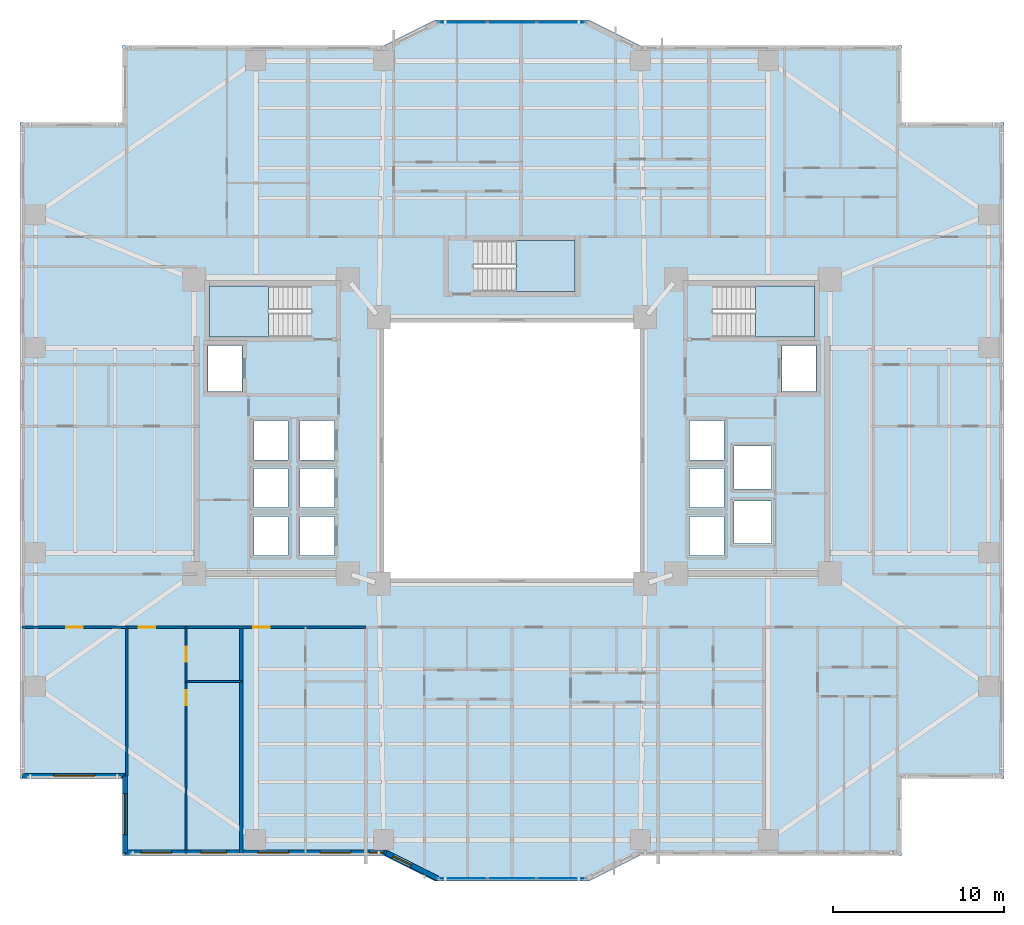
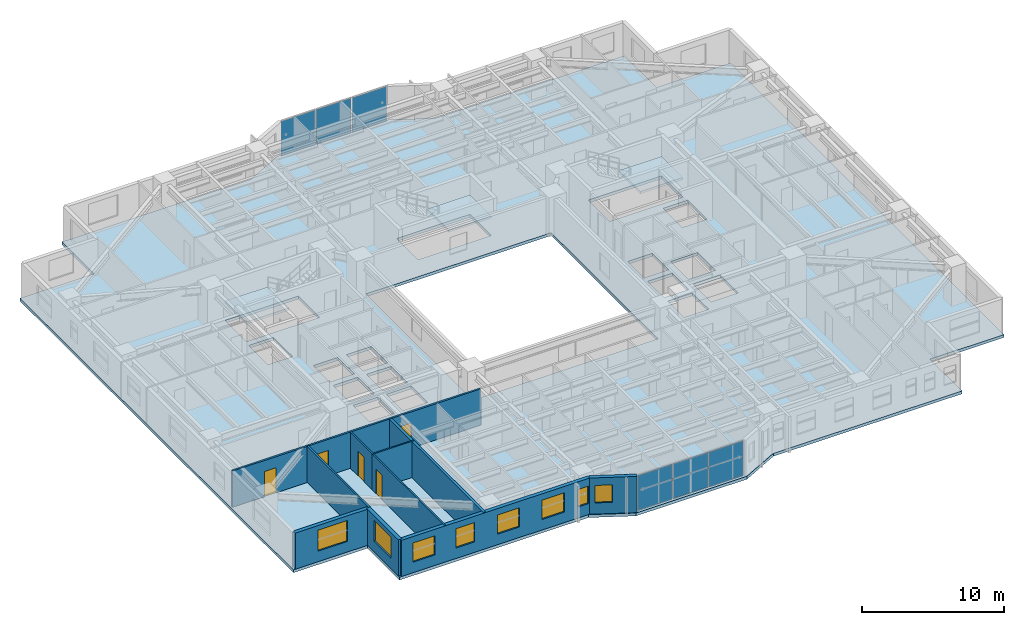
# One storey, part 9 of 22: 11 walls, 8 windows, 6 plates, 5 doors, 4 slabs, 13 openings, 5 elements without a shape of their own.
"""IFC4 building model written with IfcOpenShell, lengths in metres."""

from ifc_helpers import new_model, si_unit, direction, frame, frame_2d, origin, origin_2d, place, context, subcontext, project, spatial, polyline, rectangle, outline, extrude, material, layer, layer_set, type_object, element, fill, aggregate, save


model = new_model("IFC4")

# Units and contexts
model_context = context("Model", 3, precision=1e-05, world=origin(), true_north=direction((0.0, 1.0)))
body_context = subcontext(model_context, "Body", "Model", "MODEL_VIEW")
ifc_project = project(units=[si_unit("LENGTHUNIT", "METRE"), si_unit("AREAUNIT", "SQUARE_METRE"), si_unit("VOLUMEUNIT", "CUBIC_METRE"), si_unit("PLANEANGLEUNIT", "RADIAN"), si_unit("MASSUNIT", "GRAM", prefix="KILO")], contexts=[model_context])

# Site, building, storey
site_placement = place(None, origin())
site = spatial("IfcSite", under=ifc_project, at=site_placement, CompositionType="ELEMENT")
building_placement = place(site_placement, origin())
building = spatial("IfcBuilding", under=site, at=building_placement, Name="Tarnavaz Court Tower", CompositionType="ELEMENT")
storey_placement = place(building_placement, frame((0.0, 0.0, 57.5)))
storey = spatial("IfcBuildingStorey", under=building, at=storey_placement, Name="L15", CompositionType="ELEMENT", Elevation=57.5)

# Curtain wall, plates
ifc_material_1 = material(Name="Anodised Aluminium 6063-T6 and Solar Low-E Glazing", Category="aluminium")
ifc_layer_1 = layer(ifc_material_1, 0.179931640625)
ifc_layer_set_1 = layer_set([ifc_layer_1], Name="Anodised Aluminium 6063-T6 and Solar Low-E Glazing")
curtain_wall_type = type_object("IfcCurtainWallType", Name="CW-SYS-02", PredefinedType="NOTDEFINED", material=ifc_layer_set_1)
curtain_wall_1_placement = place(storey_placement, origin())
curtain_wall_1 = element("IfcCurtainWall", 1, at=curtain_wall_1_placement, inside=storey, type_object=curtain_wall_type, Name="L15 Iwan Prow Curtain Wall 7", PredefinedType="NOTDEFINED")
ifc_material_2 = material(Name="Double-Glazed Solar Low-E Glass", Category="glass")
ifc_layer_2 = layer(ifc_material_2, 0.028076171875)
ifc_layer_set_2 = layer_set([ifc_layer_2], Name="Double-Glazed Solar Low-E Glass")
plate_type = type_object("IfcPlateType", Name="CW-PAN-GLZ28", PredefinedType="CURTAIN_PANEL", material=ifc_layer_set_2)
plate_1_placement = place(storey_placement, frame((-2.88134765625, 25.050048828125, 0.06494140625), z_axis=(0.0, 0.0, 1.0), x_axis=(1.0, 0.0, 0.0)))
plate_1 = element("IfcPlate", 2, at=plate_1_placement, type_object=plate_type, Name="CW panel 1.1", PredefinedType="CURTAIN_PANEL", context=body_context, shape_type="SweptSolid", body=[
    extrude(rectangle(XDim=2.78759765625, YDim=0.028076171875, at=origin_2d()), origin(), (0.0, 0.0, 1.0), 2.969970703125),
])
plate_2_placement = place(storey_placement, frame((0.0, 25.050048828125, 0.06494140625), z_axis=(0.0, 0.0, 1.0), x_axis=(1.0, 0.0, 0.0)))
plate_2 = element("IfcPlate", 3, at=plate_2_placement, type_object=plate_type, Name="CW panel 2.1", PredefinedType="CURTAIN_PANEL", context=body_context, shape_type="SweptSolid", body=[
    extrude(rectangle(XDim=2.824951171875, YDim=0.028076171875, at=origin_2d()), origin(), (0.0, 0.0, 1.0), 2.969970703125),
])
plate_3_placement = place(storey_placement, frame((2.88134765625, 25.050048828125, 0.06494140625), z_axis=(0.0, 0.0, 1.0), x_axis=(1.0, 0.0, 0.0)))
plate_3 = element("IfcPlate", 4, at=plate_3_placement, type_object=plate_type, Name="CW panel 3.1", PredefinedType="CURTAIN_PANEL", context=body_context, shape_type="SweptSolid", body=[
    extrude(rectangle(XDim=2.78759765625, YDim=0.028076171875, at=origin_2d()), origin(), (0.0, 0.0, 1.0), 2.969970703125),
])
aggregate(curtain_wall_1, [plate_1, plate_2, plate_3])

curtain_wall_2_placement = place(storey_placement, origin())
curtain_wall_2 = element("IfcCurtainWall", 5, at=curtain_wall_2_placement, inside=storey, type_object=curtain_wall_type, Name="L15 Iwan Prow Curtain Wall 17", PredefinedType="NOTDEFINED")
plate_4_placement = place(storey_placement, frame((2.88134765625, -25.050048828125, 0.06494140625), z_axis=(0.0, 0.0, 1.0), x_axis=(-1.0, 0.0, 0.0)))
plate_4 = element("IfcPlate", 6, at=plate_4_placement, type_object=plate_type, Name="CW panel 1.1", PredefinedType="CURTAIN_PANEL", context=body_context, shape_type="SweptSolid", body=[
    extrude(rectangle(XDim=2.78759765625, YDim=0.028076171875, at=origin_2d()), origin(), (0.0, 0.0, 1.0), 2.969970703125),
])
plate_5_placement = place(storey_placement, frame((0.0, -25.050048828125, 0.06494140625), z_axis=(0.0, 0.0, 1.0), x_axis=(-1.0, 0.0, 0.0)))
plate_5 = element("IfcPlate", 7, at=plate_5_placement, type_object=plate_type, Name="CW panel 2.1", PredefinedType="CURTAIN_PANEL", context=body_context, shape_type="SweptSolid", body=[
    extrude(rectangle(XDim=2.824951171875, YDim=0.028076171875, at=origin_2d()), origin(), (0.0, 0.0, 1.0), 2.969970703125),
])
plate_6_placement = place(storey_placement, frame((-2.88134765625, -25.050048828125, 0.06494140625), z_axis=(0.0, 0.0, 1.0), x_axis=(-1.0, 0.0, 0.0)))
plate_6 = element("IfcPlate", 8, at=plate_6_placement, type_object=plate_type, Name="CW panel 3.1", PredefinedType="CURTAIN_PANEL", context=body_context, shape_type="SweptSolid", body=[
    extrude(rectangle(XDim=2.78759765625, YDim=0.028076171875, at=origin_2d()), origin(), (0.0, 0.0, 1.0), 2.969970703125),
])
aggregate(curtain_wall_2, [plate_4, plate_5, plate_6])

# Stair, slab
ifc_material_3 = material(Name="Concrete C40/50", Category="concrete")
stair_type = type_object("IfcStairType", Name="ST-TWR-20R", PredefinedType="HALF_TURN_STAIR", material=ifc_material_3)
stair_1_placement = place(storey_placement, origin())
stair_1 = element("IfcStair", 9, at=stair_1_placement, inside=storey, type_object=stair_type, Name="L15 West Core Pressurized Exit Stair ST-W1", PredefinedType="HALF_TURN_STAIR")
ifc_layer_3 = layer(ifc_material_3, 0.199951171875)
ifc_layer_set_3 = layer_set([ifc_layer_3], Name="Concrete C40/50")
slab_type_1 = type_object("IfcSlabType", Name="SL-LAND-200", PredefinedType="LANDING", material=ifc_layer_set_3)
slab_1_placement = place(storey_placement, frame((0.0, 0.0, 1.47509765625)))
slab_1 = element("IfcSlab", 10, at=slab_1_placement, type_object=slab_type_1, Name="ST-W1 landing 1", PredefinedType="LANDING", context=body_context, shape_type="SweptSolid", body=[
    extrude(outline(polyline([(-14.239990234375, 9.639892578125), (-17.699951171875, 9.639892578125), (-17.699951171875, 6.64990234375), (-14.239990234375, 6.64990234375), (-14.239990234375, 9.639892578125)])), origin(), (0.0, 0.0, 1.0), 0.199951171875),
])
aggregate(stair_1, [slab_1])

stair_2_placement = place(storey_placement, origin())
stair_2 = element("IfcStair", 11, at=stair_2_placement, inside=storey, type_object=stair_type, Name="L15 East Core Pressurized Exit Stair ST-E1", PredefinedType="HALF_TURN_STAIR")
slab_2_placement = place(storey_placement, frame((0.0, 0.0, 1.47509765625)))
slab_2 = element("IfcSlab", 12, at=slab_2_placement, type_object=slab_type_1, Name="ST-E1 landing 1", PredefinedType="LANDING", context=body_context, shape_type="SweptSolid", body=[
    extrude(outline(polyline([(14.239990234375, 6.64990234375), (17.699951171875, 6.64990234375), (17.699951171875, 9.639892578125), (14.239990234375, 9.639892578125), (14.239990234375, 6.64990234375)])), origin(), (0.0, 0.0, 1.0), 0.199951171875),
])
aggregate(stair_2, [slab_2])

stair_3_placement = place(storey_placement, origin())
stair_3 = element("IfcStair", 13, at=stair_3_placement, inside=storey, type_object=stair_type, Name="L15 North Ring Pressurized Exit Stair ST-N1", PredefinedType="HALF_TURN_STAIR")
slab_3_placement = place(storey_placement, frame((0.0, 0.0, 1.47509765625)))
slab_3 = element("IfcSlab", 14, at=slab_3_placement, type_object=slab_type_1, Name="ST-N1 landing 1", PredefinedType="LANDING", context=body_context, shape_type="SweptSolid", body=[
    extrude(outline(polyline([(0.239990234375, 9.300048828125), (3.699951171875, 9.300048828125), (3.699951171875, 12.2900390625), (0.239990234375, 12.2900390625), (0.239990234375, 9.300048828125)])), origin(), (0.0, 0.0, 1.0), 0.199951171875),
])
aggregate(stair_3, [slab_3])

# Slab
ifc_layer_4 = layer(ifc_material_3, 0.25)
ifc_layer_set_4 = layer_set([ifc_layer_4], Name="Concrete C40/50")
slab_type_2 = type_object("IfcSlabType", Name="SL-RES-250", PredefinedType="FLOOR", material=ifc_layer_set_4)
slab_4_placement = place(storey_placement, frame((0.0, 0.0, -0.25)))
element("IfcSlab", 15, at=slab_4_placement, inside=storey, type_object=slab_type_2, Name="L15 Structural Floor Slab", PredefinedType="FLOOR", context=body_context, shape_type="SweptSolid", body=[
    extrude(outline(polyline([(-22.800048828125, -23.699951171875), (-7.5, -23.699951171875), (-4.5, -25.199951171875), (4.5, -25.199951171875), (7.5, -23.699951171875), (22.800048828125, -23.699951171875), (22.800048828125, -19.199951171875), (28.800048828125, -19.199951171875), (28.800048828125, 19.199951171875), (22.800048828125, 19.199951171875), (22.800048828125, 23.699951171875), (7.5, 23.699951171875), (4.5, 25.199951171875), (-4.5, 25.199951171875), (-7.5, 23.699951171875), (-22.800048828125, 23.699951171875), (-22.800048828125, 19.199951171875), (-28.800048828125, 19.199951171875), (-28.800048828125, -19.199951171875), (-22.800048828125, -19.199951171875), (-22.800048828125, -23.699951171875)]), holes=[polyline([(-7.5, -7.5), (7.5, -7.5), (7.5, 7.5), (-7.5, 7.5), (-7.5, -7.5)]), polyline([(-11.7451171875, 9.639892578125), (-17.699951171875, 9.639892578125), (-17.699951171875, 6.64990234375), (-11.7451171875, 6.64990234375), (-11.7451171875, 9.639892578125)]), polyline([(11.7451171875, 6.64990234375), (17.699951171875, 6.64990234375), (17.699951171875, 9.639892578125), (11.7451171875, 9.639892578125), (11.7451171875, 6.64990234375)]), polyline([(-2.2548828125, 9.300048828125), (3.699951171875, 9.300048828125), (3.699951171875, 12.2900390625), (-2.2548828125, 12.2900390625), (-2.2548828125, 9.300048828125)]), polyline([(-17.800048828125, 3.449951171875), (-15.800048828125, 3.449951171875), (-15.800048828125, 6.14990234375), (-17.800048828125, 6.14990234375), (-17.800048828125, 3.449951171875)]), polyline([(-12.39990234375, -6.14990234375), (-10.39990234375, -6.14990234375), (-10.39990234375, -3.85009765625), (-12.39990234375, -3.85009765625), (-12.39990234375, -6.14990234375)]), polyline([(-12.39990234375, -3.35009765625), (-10.39990234375, -3.35009765625), (-10.39990234375, -1.050048828125), (-12.39990234375, -1.050048828125), (-12.39990234375, -3.35009765625)]), polyline([(-12.39990234375, -0.550048828125), (-10.39990234375, -0.550048828125), (-10.39990234375, 1.75), (-12.39990234375, 1.75), (-12.39990234375, -0.550048828125)]), polyline([(-15.10009765625, -6.14990234375), (-13.10009765625, -6.14990234375), (-13.10009765625, -3.85009765625), (-15.10009765625, -3.85009765625), (-15.10009765625, -6.14990234375)]), polyline([(-15.10009765625, -3.35009765625), (-13.10009765625, -3.35009765625), (-13.10009765625, -1.050048828125), (-15.10009765625, -1.050048828125), (-15.10009765625, -3.35009765625)]), polyline([(-15.10009765625, -0.550048828125), (-13.10009765625, -0.550048828125), (-13.10009765625, 1.75), (-15.10009765625, 1.75), (-15.10009765625, -0.550048828125)]), polyline([(15.800048828125, 3.449951171875), (17.800048828125, 3.449951171875), (17.800048828125, 6.14990234375), (15.800048828125, 6.14990234375), (15.800048828125, 3.449951171875)]), polyline([(10.39990234375, -6.14990234375), (12.39990234375, -6.14990234375), (12.39990234375, -3.85009765625), (10.39990234375, -3.85009765625), (10.39990234375, -6.14990234375)]), polyline([(10.39990234375, -3.35009765625), (12.39990234375, -3.35009765625), (12.39990234375, -1.050048828125), (10.39990234375, -1.050048828125), (10.39990234375, -3.35009765625)]), polyline([(10.39990234375, -0.550048828125), (12.39990234375, -0.550048828125), (12.39990234375, 1.75), (10.39990234375, 1.75), (10.39990234375, -0.550048828125)]), polyline([(13.0, -5.449951171875), (15.199951171875, -5.449951171875), (15.199951171875, -2.949951171875), (13.0, -2.949951171875), (13.0, -5.449951171875)]), polyline([(13.0, -2.25), (15.199951171875, -2.25), (15.199951171875, 0.25), (13.0, 0.25), (13.0, -2.25)])]), origin(), (0.0, 0.0, 1.0), 0.25),
])

# Wall, opening, window
ifc_material_4 = material(Name="Precast Concrete C40/50", Category="concrete")
ifc_layer_5 = layer(ifc_material_4, 0.300048828125)
ifc_layer_set_5 = layer_set([ifc_layer_5], Name="Precast Concrete C40/50")
wall_type_1 = type_object("IfcWallType", Name="WL-EXT-300", PredefinedType="SOLIDWALL", material=ifc_layer_set_5)
wall_1_placement = place(storey_placement, frame((-22.64990234375, -19.050048828125, 0.0), z_axis=(0.0, 0.0, 1.0), x_axis=(-1.0, 0.0, 0.0)))
wall_1 = element("IfcWall", 16, at=wall_1_placement, inside=storey, type_object=wall_type_1, Name="L15 Exterior Terracotta Facade Wall 01", PredefinedType="SOLIDWALL", context=body_context, shape_type="SweptSolid", body=[
    extrude(rectangle(XDim=6.0, YDim=0.300048828125, at=frame_2d((3.0, 0.0))), origin(), (0.0, 0.0, 1.0), 3.10009765625),
])
opening_1_placement = place(wall_1_placement, frame((1.77490234375, 0.0, 0.89990234375)))
opening_1 = element("IfcOpeningElement", 17, at=opening_1_placement, cuts=wall_1, Name="Opening W06", PredefinedType="OPENING", context=body_context, shape_type="SweptSolid", body=[
    extrude(rectangle(XDim=2.39990234375, YDim=1.800048828125, at=frame_2d((1.199951171875, 0.89990234375))), frame((0.0, 0.159912109375, 0.0), z_axis=(0.0, -1.0, 0.0), x_axis=(1.0, 0.0, 0.0)), (0.0, 0.0, 1.0), 0.320068359375),
])
window_type_1 = type_object("IfcWindowType", Name="WN-APT-2400", PartitioningType="TRIPLE_PANEL_VERTICAL", PredefinedType="WINDOW", material=ifc_material_2)
window_1_placement = place(opening_1_placement, origin())
window_1 = element("IfcWindow", 18, at=window_1_placement, inside=storey, type_object=window_type_1, Name="L15 South-West Corner Reading Room Window", OverallHeight=1.800048828125, OverallWidth=2.39990234375, PartitioningType="SINGLE_PANEL", PredefinedType="WINDOW", context=body_context, shape_type="SweptSolid", body=[
    extrude(rectangle(XDim=2.39990234375, YDim=1.800048828125, at=frame_2d((1.199951171875, 0.89990234375))), frame((0.0, 0.030029296875, 0.0), z_axis=(0.0, -1.0, 0.0), x_axis=(1.0, 0.0, 0.0)), (0.0, 0.0, 1.0), 0.06005859375),
])
fill(opening_1, window_1)

wall_2_placement = place(storey_placement, frame((-4.35009765625, -25.050048828125, 0.0), z_axis=(0.0, 0.0, 1.0), x_axis=(-0.894427191, 0.4472135955, 0.0)))
wall_2 = element("IfcWall", 19, at=wall_2_placement, inside=storey, type_object=wall_type_1, Name="L15 Exterior Terracotta Facade Wall 18", PredefinedType="SOLIDWALL", context=body_context, shape_type="SweptSolid", body=[
    extrude(rectangle(XDim=3.35400390625, YDim=0.300048828125, at=frame_2d((1.677001953125, 0.0))), origin(), (0.0, 0.0, 1.0), 3.10009765625),
])
opening_2_placement = place(wall_2_placement, frame((1.72802734375, 0.0, 0.949951171875)))
opening_2 = element("IfcOpeningElement", 20, at=opening_2_placement, cuts=wall_2, Name="Opening W05", PredefinedType="OPENING", context=body_context, shape_type="SweptSolid", body=[
    extrude(rectangle(XDim=1.199951171875, YDim=1.5, at=frame_2d((0.60009765625, 0.75))), frame((0.0, 0.159912109375, 0.0), z_axis=(0.0, -1.0, 0.0), x_axis=(1.0, 0.0, 0.0)), (0.0, 0.0, 1.0), 0.320068359375),
])
window_type_2 = type_object("IfcWindowType", Name="WN-APT-1200", PartitioningType="SINGLE_PANEL", PredefinedType="WINDOW", material=ifc_material_2)
window_2_placement = place(opening_2_placement, origin())
window_2 = element("IfcWindow", 21, at=window_2_placement, inside=storey, type_object=window_type_2, Name="L15 Flat 09 Living and Dining Room Window", OverallHeight=1.5, OverallWidth=1.199951171875, PartitioningType="SINGLE_PANEL", PredefinedType="WINDOW", context=body_context, shape_type="SweptSolid", body=[
    extrude(rectangle(XDim=1.199951171875, YDim=1.5, at=frame_2d((0.60009765625, 0.75))), frame((0.0, 0.030029296875, 0.0), z_axis=(0.0, -1.0, 0.0), x_axis=(1.0, 0.0, 0.0)), (0.0, 0.0, 1.0), 0.06005859375),
])
fill(opening_2, window_2)

# Wall, openings, windows
wall_3_placement = place(storey_placement, frame((-7.35009765625, -23.550048828125, 0.0), z_axis=(0.0, 0.0, 1.0), x_axis=(-1.0, 0.0, 0.0)))
wall_3 = element("IfcWall", 22, at=wall_3_placement, inside=storey, type_object=wall_type_1, Name="L15 Exterior Terracotta Facade Wall 19", PredefinedType="SOLIDWALL", context=body_context, shape_type="SweptSolid", body=[
    extrude(rectangle(XDim=15.2998046875, YDim=0.300048828125, at=frame_2d((7.64990234375, 0.0))), origin(), (0.0, 0.0, 1.0), 3.10009765625),
])
opening_3_placement = place(wall_3_placement, frame((0.146728515625, 0.0, 0.949951171875)))
opening_3 = element("IfcOpeningElement", 23, at=opening_3_placement, cuts=wall_3, Name="Opening W15", PredefinedType="OPENING", context=body_context, shape_type="SweptSolid", body=[
    extrude(rectangle(XDim=0.85009765625, YDim=1.5, at=frame_2d((0.425048828125, 0.75))), frame((0.0, 0.159912109375, 0.0), z_axis=(0.0, -1.0, 0.0), x_axis=(1.0, 0.0, 0.0)), (0.0, 0.0, 1.0), 0.320068359375),
])
opening_4_placement = place(wall_3_placement, frame((2.084716796875, 0.0, 0.89990234375)))
opening_4 = element("IfcOpeningElement", 24, at=opening_4_placement, cuts=wall_3, Name="Opening W01", PredefinedType="OPENING", context=body_context, shape_type="SweptSolid", body=[
    extrude(rectangle(XDim=1.800048828125, YDim=1.64990234375, at=frame_2d((0.89990234375, 0.824951171875))), frame((0.0, 0.159912109375, 0.0), z_axis=(0.0, -1.0, 0.0), x_axis=(1.0, 0.0, 0.0)), (0.0, 0.0, 1.0), 0.320068359375),
])
opening_5_placement = place(wall_3_placement, frame((5.7216796875, 0.0, 0.89990234375)))
opening_5 = element("IfcOpeningElement", 25, at=opening_5_placement, cuts=wall_3, Name="Opening W01", PredefinedType="OPENING", context=body_context, shape_type="SweptSolid", body=[
    extrude(rectangle(XDim=1.800048828125, YDim=1.64990234375, at=frame_2d((0.89990234375, 0.824951171875))), frame((0.0, 0.159912109375, 0.0), z_axis=(0.0, -1.0, 0.0), x_axis=(1.0, 0.0, 0.0)), (0.0, 0.0, 1.0), 0.320068359375),
])
opening_6_placement = place(wall_3_placement, frame((9.35791015625, 0.0, 0.89990234375)))
opening_6 = element("IfcOpeningElement", 26, at=opening_6_placement, cuts=wall_3, Name="Opening W03", PredefinedType="OPENING", context=body_context, shape_type="SweptSolid", body=[
    extrude(rectangle(XDim=1.5, YDim=1.64990234375, at=frame_2d((0.75, 0.824951171875))), frame((0.0, 0.159912109375, 0.0), z_axis=(0.0, -1.0, 0.0), x_axis=(1.0, 0.0, 0.0)), (0.0, 0.0, 1.0), 0.320068359375),
])
opening_7_placement = place(wall_3_placement, frame((12.569091796875, 0.0, 0.89990234375)))
opening_7 = element("IfcOpeningElement", 27, at=opening_7_placement, cuts=wall_3, Name="Opening W01", PredefinedType="OPENING", context=body_context, shape_type="SweptSolid", body=[
    extrude(rectangle(XDim=1.800048828125, YDim=1.64990234375, at=frame_2d((0.89990234375, 0.824951171875))), frame((0.0, 0.159912109375, 0.0), z_axis=(0.0, -1.0, 0.0), x_axis=(1.0, 0.0, 0.0)), (0.0, 0.0, 1.0), 0.320068359375),
])
window_type_3 = type_object("IfcWindowType", Name="WN-APT-1500", PartitioningType="DOUBLE_PANEL_VERTICAL", PredefinedType="WINDOW", material=ifc_material_2)
window_3_placement = place(opening_6_placement, origin())
window_3 = element("IfcWindow", 28, at=window_3_placement, inside=storey, type_object=window_type_3, Name="L15 Flat 05 Kitchen Window", OverallHeight=1.64990234375, OverallWidth=1.5, PartitioningType="SINGLE_PANEL", PredefinedType="WINDOW", context=body_context, shape_type="SweptSolid", body=[
    extrude(rectangle(XDim=1.5, YDim=1.64990234375, at=frame_2d((0.75, 0.824951171875))), frame((0.0, 0.030029296875, 0.0), z_axis=(0.0, -1.0, 0.0), x_axis=(1.0, 0.0, 0.0)), (0.0, 0.0, 1.0), 0.06005859375),
])
fill(opening_6, window_3)
window_type_4 = type_object("IfcWindowType", Name="WN-APT-1800", PartitioningType="DOUBLE_PANEL_VERTICAL", PredefinedType="WINDOW", material=ifc_material_2)
window_4_placement = place(opening_4_placement, origin())
window_4 = element("IfcWindow", 29, at=window_4_placement, inside=storey, type_object=window_type_4, Name="L15 Flat 06 Kitchen Window", OverallHeight=1.64990234375, OverallWidth=1.800048828125, PartitioningType="SINGLE_PANEL", PredefinedType="WINDOW", context=body_context, shape_type="SweptSolid", body=[
    extrude(rectangle(XDim=1.800048828125, YDim=1.64990234375, at=frame_2d((0.89990234375, 0.824951171875))), frame((0.0, 0.030029296875, 0.0), z_axis=(0.0, -1.0, 0.0), x_axis=(1.0, 0.0, 0.0)), (0.0, 0.0, 1.0), 0.06005859375),
])
fill(opening_4, window_4)
window_5_placement = place(opening_5_placement, origin())
window_5 = element("IfcWindow", 30, at=window_5_placement, inside=storey, type_object=window_type_4, Name="L15 Flat 06 Studio Living and Sleeping Room Window", OverallHeight=1.64990234375, OverallWidth=1.800048828125, PartitioningType="SINGLE_PANEL", PredefinedType="WINDOW", context=body_context, shape_type="SweptSolid", body=[
    extrude(rectangle(XDim=1.800048828125, YDim=1.64990234375, at=frame_2d((0.89990234375, 0.824951171875))), frame((0.0, 0.030029296875, 0.0), z_axis=(0.0, -1.0, 0.0), x_axis=(1.0, 0.0, 0.0)), (0.0, 0.0, 1.0), 0.06005859375),
])
fill(opening_5, window_5)
window_6_placement = place(opening_7_placement, origin())
window_6 = element("IfcWindow", 31, at=window_6_placement, inside=storey, type_object=window_type_4, Name="L15 Flat 05 Studio Living and Sleeping Room Window", OverallHeight=1.64990234375, OverallWidth=1.800048828125, PartitioningType="SINGLE_PANEL", PredefinedType="WINDOW", context=body_context, shape_type="SweptSolid", body=[
    extrude(rectangle(XDim=1.800048828125, YDim=1.64990234375, at=frame_2d((0.89990234375, 0.824951171875))), frame((0.0, 0.030029296875, 0.0), z_axis=(0.0, -1.0, 0.0), x_axis=(1.0, 0.0, 0.0)), (0.0, 0.0, 1.0), 0.06005859375),
])
fill(opening_7, window_6)
window_type_5 = type_object("IfcWindowType", Name="WN-APT-850", PartitioningType="SINGLE_PANEL", PredefinedType="WINDOW", material=ifc_material_2)
window_7_placement = place(opening_3_placement, origin())
window_7 = element("IfcWindow", 32, at=window_7_placement, inside=storey, type_object=window_type_5, Name="L15 Flat 09 Living and Dining Room Window", OverallHeight=1.5, OverallWidth=0.85009765625, PartitioningType="SINGLE_PANEL", PredefinedType="WINDOW", context=body_context, shape_type="SweptSolid", body=[
    extrude(rectangle(XDim=0.85009765625, YDim=1.5, at=frame_2d((0.425048828125, 0.75))), frame((0.0, 0.030029296875, 0.0), z_axis=(0.0, -1.0, 0.0), x_axis=(1.0, 0.0, 0.0)), (0.0, 0.0, 1.0), 0.06005859375),
])
fill(opening_3, window_7)

# Wall, opening, window
wall_4_placement = place(storey_placement, frame((-22.64990234375, -23.550048828125, 0.0), z_axis=(0.0, 0.0, 1.0), x_axis=(0.0, 1.0, 0.0)))
wall_4 = element("IfcWall", 33, at=wall_4_placement, inside=storey, type_object=wall_type_1, Name="L15 Exterior Terracotta Facade Wall 20", PredefinedType="SOLIDWALL", context=body_context, shape_type="SweptSolid", body=[
    extrude(rectangle(XDim=4.5, YDim=0.300048828125, at=frame_2d((2.25, 0.0))), origin(), (0.0, 0.0, 1.0), 3.10009765625),
])
opening_8_placement = place(wall_4_placement, frame((1.0673828125, 0.0, 0.89990234375)))
opening_8 = element("IfcOpeningElement", 34, at=opening_8_placement, cuts=wall_4, Name="Opening W06", PredefinedType="OPENING", context=body_context, shape_type="SweptSolid", body=[
    extrude(rectangle(XDim=2.39990234375, YDim=1.800048828125, at=frame_2d((1.199951171875, 0.89990234375))), frame((0.0, 0.159912109375, 0.0), z_axis=(0.0, -1.0, 0.0), x_axis=(1.0, 0.0, 0.0)), (0.0, 0.0, 1.0), 0.320068359375),
])
window_8_placement = place(opening_8_placement, origin())
window_8 = element("IfcWindow", 35, at=window_8_placement, inside=storey, type_object=window_type_1, Name="L15 Flat 05 Studio Living and Sleeping Room Window", OverallHeight=1.800048828125, OverallWidth=2.39990234375, PartitioningType="SINGLE_PANEL", PredefinedType="WINDOW", context=body_context, shape_type="SweptSolid", body=[
    extrude(rectangle(XDim=2.39990234375, YDim=1.800048828125, at=frame_2d((1.199951171875, 0.89990234375))), frame((0.0, 0.030029296875, 0.0), z_axis=(0.0, -1.0, 0.0), x_axis=(1.0, 0.0, 0.0)), (0.0, 0.0, 1.0), 0.06005859375),
])
fill(opening_8, window_8)

# Wall, openings, doors
ifc_material_5 = material(Name="Gypsum Fire-Board on Acoustic Metal Stud", Category="masonry")
ifc_layer_6 = layer(ifc_material_5, 0.14990234375)
ifc_layer_set_6 = layer_set([ifc_layer_6], Name="Gypsum Fire-Board on Acoustic Metal Stud")
wall_type_2 = type_object("IfcWallType", Name="WL-FIRE-150", PredefinedType="PARTITIONING", material=ifc_layer_set_6)
wall_5_placement = place(storey_placement, frame((-22.550048828125, -10.35009765625, 0.0), z_axis=(0.0, 0.0, 1.0), x_axis=(1.0, 0.0, 0.0)))
wall_5 = element("IfcWall", 36, at=wall_5_placement, inside=storey, type_object=wall_type_2, Name="L15 SW Corridor Wall 084", PredefinedType="PARTITIONING", context=body_context, shape_type="SweptSolid", body=[
    extrude(rectangle(XDim=14.0, YDim=0.14990234375, at=frame_2d((7.0, 0.0))), origin(), (0.0, 0.0, 1.0), 3.10009765625),
])
opening_9_placement = place(wall_5_placement, frame((0.699951171875, 0.0, 0.0)))
opening_9 = element("IfcOpeningElement", 37, at=opening_9_placement, cuts=wall_5, Name="Opening D06", PredefinedType="OPENING", context=body_context, shape_type="SweptSolid", body=[
    extrude(rectangle(XDim=0.9599609375, YDim=2.14990234375, at=frame_2d((0.47998046875, 1.074951171875))), frame((0.0, 0.0849609375, 0.0), z_axis=(0.0, -1.0, 0.0), x_axis=(1.0, 0.0, 0.0)), (0.0, 0.0, 1.0), 0.169921875),
])
opening_10_placement = place(wall_5_placement, frame((7.39599609375, 0.0, 0.0)))
opening_10 = element("IfcOpeningElement", 38, at=opening_10_placement, cuts=wall_5, Name="Opening D06", PredefinedType="OPENING", context=body_context, shape_type="SweptSolid", body=[
    extrude(rectangle(XDim=0.9599609375, YDim=2.14990234375, at=frame_2d((0.47998046875, 1.074951171875))), frame((0.0, 0.0849609375, 0.0), z_axis=(0.0, -1.0, 0.0), x_axis=(1.0, 0.0, 0.0)), (0.0, 0.0, 1.0), 0.169921875),
])
ifc_material_6 = material(Name="Fire-Rated Hardwood Timber Core", Category="wood")
door_type_1 = type_object("IfcDoorType", Name="DR-FD60-950", OperationType="NOTDEFINED", PredefinedType="DOOR", material=ifc_material_6)
door_1_placement = place(opening_9_placement, origin())
door_1 = element("IfcDoor", 39, at=door_1_placement, inside=storey, type_object=door_type_1, Name="L15 Flat 05 Entrance Door", OperationType="SINGLE_SWING_RIGHT", OverallHeight=2.14990234375, OverallWidth=0.9599609375, PredefinedType="DOOR", context=body_context, shape_type="SweptSolid", body=[
    extrude(rectangle(XDim=0.9599609375, YDim=2.14990234375, at=frame_2d((0.47998046875, 1.074951171875))), frame((0.0, 0.02490234375, 0.0), z_axis=(0.0, -1.0, 0.0), x_axis=(1.0, 0.0, 0.0)), (0.0, 0.0, 1.0), 0.050048828125),
])
fill(opening_9, door_1)
door_2_placement = place(opening_10_placement, origin())
door_2 = element("IfcDoor", 40, at=door_2_placement, inside=storey, type_object=door_type_1, Name="L15 Flat 06 Entrance Door", OperationType="SINGLE_SWING_LEFT", OverallHeight=2.14990234375, OverallWidth=0.9599609375, PredefinedType="DOOR", context=body_context, shape_type="SweptSolid", body=[
    extrude(rectangle(XDim=0.9599609375, YDim=2.14990234375, at=frame_2d((0.47998046875, 1.074951171875))), frame((0.0, 0.02490234375, 0.0), z_axis=(0.0, -1.0, 0.0), x_axis=(1.0, 0.0, 0.0)), (0.0, 0.0, 1.0), 0.050048828125),
])
fill(opening_10, door_2)

# Wall, opening, door
wall_6_placement = place(storey_placement, frame((-28.679931640625, -10.35009765625, 0.0), z_axis=(0.0, 0.0, 1.0), x_axis=(1.0, 0.0, 0.0)))
wall_6 = element("IfcWall", 41, at=wall_6_placement, inside=storey, type_object=wall_type_2, Name="L15 Interior Partition 154", PredefinedType="PARTITIONING", context=body_context, shape_type="SweptSolid", body=[
    extrude(rectangle(XDim=6.1298828125, YDim=0.14990234375, at=frame_2d((3.06494140625, 0.0))), origin(), (0.0, 0.0, 1.0), 3.10009765625),
])
opening_11_placement = place(wall_6_placement, frame((2.590087890625, 0.0, 0.0)))
opening_11 = element("IfcOpeningElement", 42, at=opening_11_placement, cuts=wall_6, Name="Opening D13", PredefinedType="OPENING", context=body_context, shape_type="SweptSolid", body=[
    extrude(rectangle(XDim=0.949951171875, YDim=2.14990234375, at=frame_2d((0.47509765625, 1.074951171875))), frame((0.0, 0.0849609375, 0.0), z_axis=(0.0, -1.0, 0.0), x_axis=(1.0, 0.0, 0.0)), (0.0, 0.0, 1.0), 0.169921875),
])
ifc_material_7 = material(Name="Engineered Oak Timber", Category="wood")
door_type_2 = type_object("IfcDoorType", Name="DR-INT-950", OperationType="NOTDEFINED", PredefinedType="DOOR", material=ifc_material_7)
door_3_placement = place(opening_11_placement, origin())
door_3 = element("IfcDoor", 43, at=door_3_placement, inside=storey, type_object=door_type_2, Name="L15 SW Reading Room Door", OperationType="SINGLE_SWING_RIGHT", OverallHeight=2.14990234375, OverallWidth=0.949951171875, PredefinedType="DOOR", context=body_context, shape_type="SweptSolid", body=[
    extrude(rectangle(XDim=0.949951171875, YDim=2.14990234375, at=frame_2d((0.47509765625, 1.074951171875))), frame((0.0, 0.02490234375, 0.0), z_axis=(0.0, -1.0, 0.0), x_axis=(1.0, 0.0, 0.0)), (0.0, 0.0, 1.0), 0.050048828125),
])
fill(opening_11, door_3)

# Wall
ifc_material_8 = material(Name="Autoclaved Aerated Concrete Blockwork", Category="masonry")
ifc_layer_7 = layer(ifc_material_8, 0.199951171875)
ifc_layer_set_7 = layer_set([ifc_layer_7], Name="Autoclaved Aerated Concrete Blockwork")
wall_type_3 = type_object("IfcWallType", Name="WL-FIRE-200", PredefinedType="SOLIDWALL", material=ifc_layer_set_7)
wall_7_placement = place(storey_placement, frame((-15.85400390625, -23.60009765625, 0.0), z_axis=(0.0, 0.0, 1.0), x_axis=(0.0, 1.0, 0.0)))
element("IfcWall", 44, at=wall_7_placement, inside=storey, type_object=wall_type_3, Name="L15 Party Wall 111", PredefinedType="SOLIDWALL", context=body_context, shape_type="SweptSolid", body=[
    extrude(rectangle(XDim=13.25, YDim=0.199951171875, at=frame_2d((6.625, 0.0))), origin(), (0.0, 0.0, 1.0), 3.10009765625),
])

# Wall, opening, door
ifc_material_9 = material(Name="Moisture-Resistant Gypsum Board Partition", Category="masonry")
ifc_layer_8 = layer(ifc_material_9, 0.1201171875)
ifc_layer_set_8 = layer_set([ifc_layer_8], Name="Moisture-Resistant Gypsum Board Partition")
wall_type_4 = type_object("IfcWallType", Name="WL-PART-120", PredefinedType="PARTITIONING", material=ifc_layer_set_8)
wall_8_placement = place(storey_placement, frame((-19.070068359375, -23.60009765625, 0.0), z_axis=(0.0, 0.0, 1.0), x_axis=(0.0, 1.0, 0.0)))
wall_8 = element("IfcWall", 45, at=wall_8_placement, inside=storey, type_object=wall_type_4, Name="L15 Interior Partition 112", PredefinedType="PARTITIONING", context=body_context, shape_type="SweptSolid", body=[
    extrude(rectangle(XDim=10.090087890625, YDim=0.1201171875, at=frame_2d((5.044921875, 0.0))), origin(), (0.0, 0.0, 1.0), 3.10009765625),
])
opening_12_placement = place(wall_8_placement, frame((8.68994140625, 0.0, 0.0)))
opening_12 = element("IfcOpeningElement", 46, at=opening_12_placement, cuts=wall_8, Name="Opening D14", PredefinedType="OPENING", context=body_context, shape_type="SweptSolid", body=[
    extrude(rectangle(XDim=0.8798828125, YDim=2.10009765625, at=frame_2d((0.43994140625, 1.050048828125))), frame((0.0, 0.070068359375, 0.0), z_axis=(0.0, -1.0, 0.0), x_axis=(1.0, 0.0, 0.0)), (0.0, 0.0, 1.0), 0.14013671875),
])
door_type_3 = type_object("IfcDoorType", Name="DR-INT-900", OperationType="NOTDEFINED", PredefinedType="DOOR", material=ifc_material_7)
door_4_placement = place(opening_12_placement, origin())
door_4 = element("IfcDoor", 47, at=door_4_placement, inside=storey, type_object=door_type_3, Name="L15 Flat 05 Kitchen Door", OperationType="SINGLE_SWING_LEFT", OverallHeight=2.10009765625, OverallWidth=0.8798828125, PredefinedType="DOOR", context=body_context, shape_type="SweptSolid", body=[
    extrude(rectangle(XDim=0.8798828125, YDim=2.10009765625, at=frame_2d((0.43994140625, 1.050048828125))), frame((0.0, 0.02490234375, 0.0), z_axis=(0.0, -1.0, 0.0), x_axis=(1.0, 0.0, 0.0)), (0.0, 0.0, 1.0), 0.050048828125),
])
fill(opening_12, door_4)

wall_9_placement = place(storey_placement, frame((-19.070068359375, -13.510009765625, 0.0), z_axis=(0.0, 0.0, 1.0), x_axis=(0.0, 1.0, 0.0)))
wall_9 = element("IfcWall", 48, at=wall_9_placement, inside=storey, type_object=wall_type_4, Name="L15 Interior Partition 113", PredefinedType="PARTITIONING", context=body_context, shape_type="SweptSolid", body=[
    extrude(rectangle(XDim=3.219970703125, YDim=0.1201171875, at=frame_2d((1.60986328125, 0.0))), origin(), (0.0, 0.0, 1.0), 3.10009765625),
])
opening_13_placement = place(wall_9_placement, frame((1.139892578125, 0.0, 0.0)))
opening_13 = element("IfcOpeningElement", 49, at=opening_13_placement, cuts=wall_9, Name="Opening D14", PredefinedType="OPENING", context=body_context, shape_type="SweptSolid", body=[
    extrude(rectangle(XDim=0.8798828125, YDim=2.10009765625, at=frame_2d((0.43994140625, 1.050048828125))), frame((0.0, 0.070068359375, 0.0), z_axis=(0.0, -1.0, 0.0), x_axis=(1.0, 0.0, 0.0)), (0.0, 0.0, 1.0), 0.14013671875),
])
door_5_placement = place(opening_13_placement, origin())
door_5 = element("IfcDoor", 50, at=door_5_placement, inside=storey, type_object=door_type_3, Name="L15 Flat 05 Bathroom Door", OperationType="SINGLE_SWING_RIGHT", OverallHeight=2.10009765625, OverallWidth=0.8798828125, PredefinedType="DOOR", context=body_context, shape_type="SweptSolid", body=[
    extrude(rectangle(XDim=0.8798828125, YDim=2.10009765625, at=frame_2d((0.43994140625, 1.050048828125))), frame((0.0, 0.02490234375, 0.0), z_axis=(0.0, -1.0, 0.0), x_axis=(1.0, 0.0, 0.0)), (0.0, 0.0, 1.0), 0.050048828125),
])
fill(opening_13, door_5)

# Walls
wall_10_placement = place(storey_placement, frame((-19.1298828125, -13.510009765625, 0.0), z_axis=(0.0, 0.0, 1.0), x_axis=(1.0, 0.0, 0.0)))
element("IfcWall", 51, at=wall_10_placement, inside=storey, type_object=wall_type_4, Name="L15 Interior Partition 114", PredefinedType="PARTITIONING", context=body_context, shape_type="SweptSolid", body=[
    extrude(rectangle(XDim=3.3359375, YDim=0.1201171875, at=frame_2d((1.66796875, 0.0))), origin(), (0.0, 0.0, 1.0), 3.10009765625),
])
ifc_material_10 = material(Name="Gypsum Plasterboard Acoustic Partition", Category="masonry")
ifc_layer_9 = layer(ifc_material_10, 0.139892578125)
ifc_layer_set_9 = layer_set([ifc_layer_9], Name="Gypsum Plasterboard Acoustic Partition")
wall_type_5 = type_object("IfcWallType", Name="WL-PART-150", PredefinedType="PARTITIONING", material=ifc_layer_set_9)
wall_11_placement = place(storey_placement, frame((-22.550048828125, -19.050048828125, 0.0), z_axis=(0.0, 0.0, 1.0), x_axis=(0.0, 1.0, 0.0)))
element("IfcWall", 52, at=wall_11_placement, inside=storey, type_object=wall_type_5, Name="L15 Interior Partition 148", PredefinedType="PARTITIONING", context=body_context, shape_type="SweptSolid", body=[
    extrude(rectangle(XDim=8.699951171875, YDim=0.139892578125, at=frame_2d((4.35009765625, 0.0))), origin(), (0.0, 0.0, 1.0), 3.10009765625),
])

save(model, "model.ifc")
